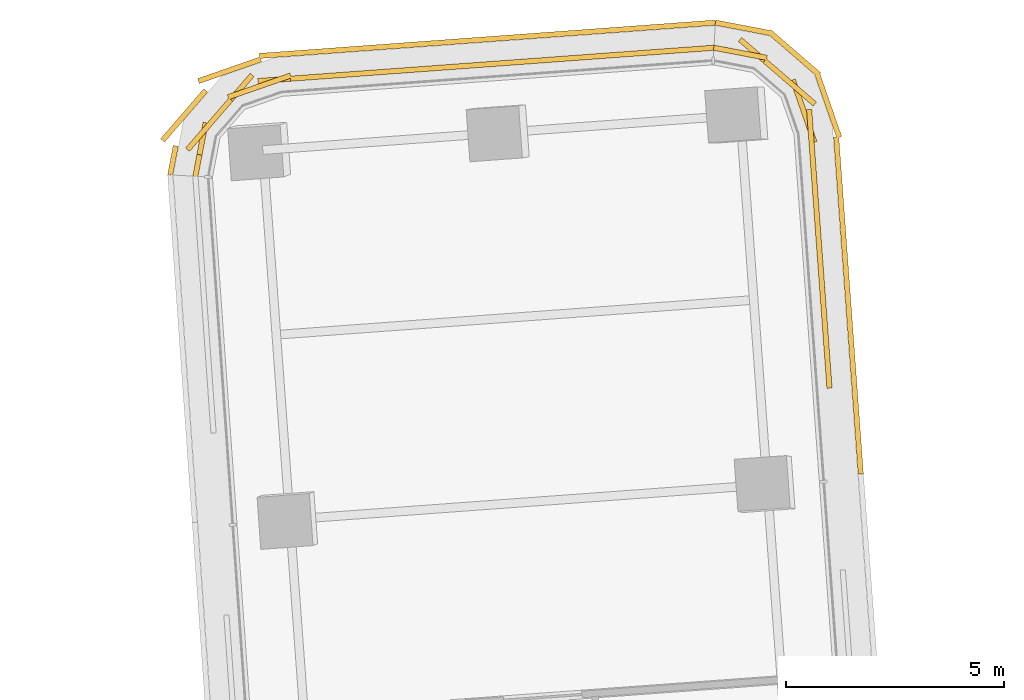
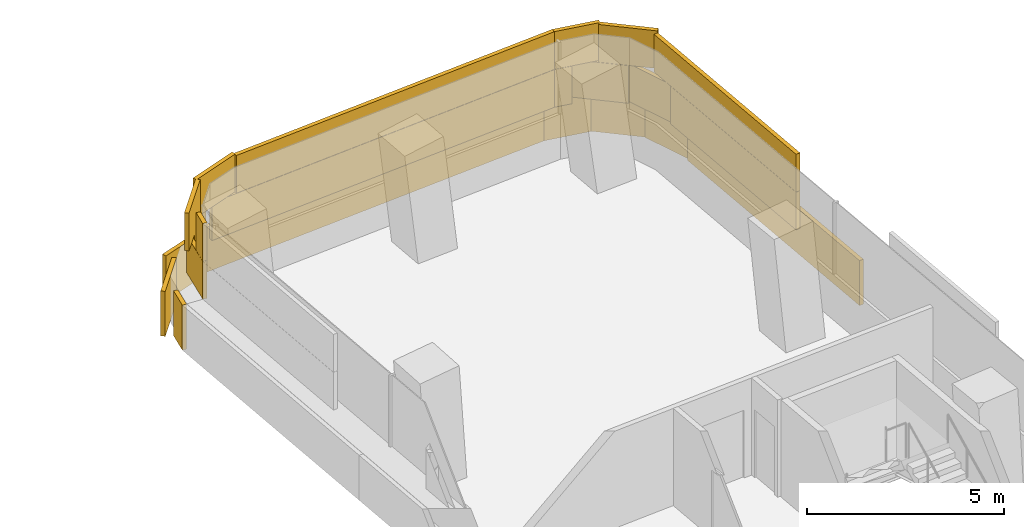
# One storey, part 31 of 31: 2 coverings.
"""IFC4 building model written with IfcOpenShell, lengths in metres."""

import ifcopenshell
import ifcopenshell.guid

model = None  # the IFC model being written
_history = None  # IfcOwnerHistory: only IFC2X3 demands one
_inside = {}  # id of a spatial element -> (the spatial element, [elements in it])
_under = {}  # id of a project, library or spatial element -> (it, [spatial elements below it])
_declared = {}  # id of a project -> (the project, [libraries it declares])
_typed = {}  # id of a type object -> (the type object, [elements of that type])
_made_of = {}  # id of a material, layer set ... -> (it, [elements and type objects made of it])


def new_model(schema):
    """Start an empty IFC model of exactly this schema.

    Asked for "IFC4X3", IfcOpenShell would pick the latest addendum, in which some entities
    have other attributes; the version numbers below select the first issue.
    IFC2X3 requires an IfcOwnerHistory on every rooted entity: one is made here for all.
    """
    global model, _history
    if schema == "IFC4X3":
        model = ifcopenshell.file(schema_version=(4, 3, 0, 0))
    else:
        model = ifcopenshell.file(schema=schema)
    _inside.clear()
    _under.clear()
    _declared.clear()
    _typed.clear()
    _made_of.clear()
    _history = None
    if model.schema == "IFC2X3":
        org = make("IfcOrganization", Name="unknown")
        user = make(
            "IfcPersonAndOrganization",
            ThePerson=make("IfcPerson", FamilyName="unknown"),
            TheOrganization=org,
        )
        app = make(
            "IfcApplication",
            ApplicationDeveloper=org,
            Version="unknown",
            ApplicationFullName="unknown",
            ApplicationIdentifier="unknown",
        )
        _history = make(
            "IfcOwnerHistory",
            OwningUser=user,
            OwningApplication=app,
            ChangeAction="ADDED",
            CreationDate=0,
        )
    return model


def make(cls, **values):
    """One entity of the class cls with the attributes given. An attribute that is None is left unset."""
    return model.create_entity(
        cls, **{name: value for name, value in values.items() if value is not None}
    )


def rooted(cls, **values):
    """An entity with a GlobalId (a new one), such as an element, a storey or a relation."""
    return make(cls, GlobalId=ifcopenshell.guid.new(), OwnerHistory=_history, **values)


def si_unit(unit_type, name, prefix=None):
    """IfcSIUnit, for example si_unit("LENGTHUNIT", "METRE", prefix="MILLI")."""
    return make("IfcSIUnit", UnitType=unit_type, Prefix=prefix, Name=name)


def assignment(units):
    """IfcUnitAssignment: the units of a project."""
    return None if units is None else make("IfcUnitAssignment", Units=units)


def point(xyz):
    """IfcCartesianPoint."""
    return None if xyz is None else make("IfcCartesianPoint", Coordinates=xyz)


def direction(xyz):
    """IfcDirection."""
    return None if xyz is None else make("IfcDirection", DirectionRatios=xyz)


def frame(location, z_axis=None, x_axis=None):
    """IfcAxis2Placement3D, a coordinate frame: its origin and axes. An axis left out is left unset."""
    return make(
        "IfcAxis2Placement3D",
        Location=point(location),
        Axis=direction(z_axis),
        RefDirection=direction(x_axis),
    )


def frame_2d(location, x_axis=None):
    """IfcAxis2Placement2D, a coordinate frame in the plane: its origin and x axis."""
    return make(
        "IfcAxis2Placement2D", Location=point(location), RefDirection=direction(x_axis)
    )


def origin():
    """The frame at (0, 0, 0) with its axes left unset."""
    return frame((0.0, 0.0, 0.0))


def origin_2d():
    """The frame at (0, 0) in the plane with its x axis left unset."""
    return frame_2d((0.0, 0.0))


def place(relative_to, where):
    """IfcLocalPlacement: puts the frame where relative to a parent placement (None: the world)."""
    return make(
        "IfcLocalPlacement", PlacementRelTo=relative_to, RelativePlacement=where
    )


def context(
    kind, dimensions, precision=None, world=None, true_north=None, identifier=None
):
    """IfcGeometricRepresentationContext, for example the 3D "Model" context."""
    return make(
        "IfcGeometricRepresentationContext",
        ContextIdentifier=identifier,
        ContextType=kind,
        CoordinateSpaceDimension=dimensions,
        Precision=precision,
        WorldCoordinateSystem=world,
        TrueNorth=true_north,
    )


def subcontext(parent, identifier, kind, view, scale=None):
    """IfcGeometricRepresentationSubContext, for example "Body" below "Model"."""
    return make(
        "IfcGeometricRepresentationSubContext",
        ContextIdentifier=identifier,
        ContextType=kind,
        ParentContext=parent,
        TargetScale=scale,
        TargetView=view,
    )


def project(units=None, contexts=None):
    """IfcProject with its units and contexts."""
    return rooted(
        "IfcProject",
        Name="project",
        RepresentationContexts=contexts,
        UnitsInContext=assignment(units),
    )


def spatial(cls, under=None, at=None, **own):
    """A site, building, storey or space (cls), placed at a placement, below another one or the project."""
    s = rooted(cls, ObjectPlacement=at, **own)
    if under is not None:
        _under.setdefault(under.id(), (under, []))[1].append(s)
    return s


def profile(cls, at=None, kind="AREA", **sizes):
    """A parametric profile (cls). Its sizes go by their IFC names, for example OverallWidth=200.0."""
    return make(cls, ProfileType=kind, Position=at, **sizes)


def rectangle(**sizes):
    """IfcRectangleProfileDef."""
    return profile("IfcRectangleProfileDef", **sizes)


def extrude(swept, where, along, depth):
    """IfcExtrudedAreaSolid: the profile swept, set in the frame where, extruded along a direction by depth."""
    return make(
        "IfcExtrudedAreaSolid",
        SweptArea=swept,
        Position=where,
        ExtrudedDirection=direction(along),
        Depth=depth,
    )


def shape(context_of_items, identifier, shape_type, items):
    """IfcShapeRepresentation: the items that make up one representation, for example the "Body"."""
    return make(
        "IfcShapeRepresentation",
        ContextOfItems=context_of_items,
        RepresentationIdentifier=identifier,
        RepresentationType=shape_type,
        Items=items,
    )


def material(Name=None, Category=None):
    """IfcMaterial."""
    return make("IfcMaterial", Name=Name, Category=Category)


def layer(
    of_material, thickness, ventilated=None, Name=None, Category=None, Priority=None
):
    """IfcMaterialLayer: one layer of a wall or slab, of a material (None: an air gap)."""
    return make(
        "IfcMaterialLayer",
        Material=of_material,
        LayerThickness=thickness,
        IsVentilated=ventilated,
        Name=Name,
        Category=Category,
        Priority=Priority,
    )


def layer_set(layers, Name=None):
    """IfcMaterialLayerSet."""
    return make("IfcMaterialLayerSet", MaterialLayers=layers, LayerSetName=Name)


def made_of(thing, what):
    """Note that an element or type object is made of a material, layer set ...; save() writes the relation."""
    if what is not None:
        _made_of.setdefault(what.id(), (what, []))[1].append(thing)
    return thing


def type_object(cls, material=None, **own):
    """A type object (cls), such as IfcWallType, which elements share."""
    return made_of(rooted(cls, **own), material)


def element(
    cls,
    number,
    at=None,
    inside=None,
    cuts=None,
    type_object=None,
    material=None,
    context=None,
    identifier="Body",
    shape_type=None,
    held_by="IfcProductDefinitionShape",
    body=None,
    shapes=None,
    **own,
):
    """One element of the class cls, such as IfcWall. Its Tag is "e" and its number.

    at: its placement. inside: the storey or other place that contains it. cuts: it is an
    opening in that element (IfcRelVoidsElement). A single representation is given by context,
    identifier, shape_type and body (its items); several are given by shapes. held_by: the class
    of the entity that holds the representations. save() writes the other relations.
    """
    e = rooted(cls, Tag="e%d" % number, ObjectPlacement=at, **own)
    if body is not None:
        shapes = [shape(context, identifier, shape_type, body)]
    if shapes is not None:
        e.Representation = make(held_by, Representations=shapes)
    if inside is not None:
        _inside.setdefault(inside.id(), (inside, []))[1].append(e)
    if cuts is not None:
        rooted(
            "IfcRelVoidsElement", RelatingBuildingElement=cuts, RelatedOpeningElement=e
        )
    if type_object is not None:
        _typed.setdefault(type_object.id(), (type_object, []))[1].append(e)
    return made_of(e, material)


def aggregate(whole, parts):
    """IfcRelAggregates: a whole, such as a stair, and the parts it consists of."""
    return rooted("IfcRelAggregates", RelatingObject=whole, RelatedObjects=parts)


def save(model, path):
    """Write the relations noted so far, then the file.

    IfcRelAggregates (storeys below a building ...), IfcRelContainedInSpatialStructure (elements
    in a storey), IfcRelDefinesByType, IfcRelAssociatesMaterial and IfcRelDeclares: one each for
    every whole, place, type object, material and project.
    """
    for whole, parts in _under.values():
        aggregate(whole, parts)
    for where, things in _inside.values():
        rooted(
            "IfcRelContainedInSpatialStructure",
            RelatedElements=things,
            RelatingStructure=where,
        )
    for kind, things in _typed.values():
        rooted("IfcRelDefinesByType", RelatedObjects=things, RelatingType=kind)
    for what, things in _made_of.values():
        rooted("IfcRelAssociatesMaterial", RelatedObjects=things, RelatingMaterial=what)
    for by, libraries in _declared.values():
        rooted("IfcRelDeclares", RelatingContext=by, RelatedDefinitions=libraries)
    model.write(path)


model = new_model("IFC4")

# Units and contexts
model_context = context("Model", 3, precision=1e-05, world=origin(), true_north=direction((0.0, 1.0)))
body_context = subcontext(model_context, "Body", "Model", "MODEL_VIEW")
ifc_project = project(units=[si_unit("LENGTHUNIT", "METRE"), si_unit("AREAUNIT", "SQUARE_METRE"), si_unit("VOLUMEUNIT", "CUBIC_METRE"), si_unit("PLANEANGLEUNIT", "RADIAN"), si_unit("MASSUNIT", "GRAM", prefix="KILO")], contexts=[model_context])

# Site, building, storey
site_placement = place(None, origin())
site = spatial("IfcSite", under=ifc_project, at=site_placement, CompositionType="ELEMENT")
building_placement = place(site_placement, origin())
building = spatial("IfcBuilding", under=site, at=building_placement, Name="Tamarind Cross Interchange Tower", CompositionType="ELEMENT")
storey_placement = place(building_placement, frame((0.0, 0.0, 49.0)))
storey = spatial("IfcBuildingStorey", under=building, at=storey_placement, Name="L10", CompositionType="ELEMENT", Elevation=49.0)

# Coverings
ifc_material = material(Name="Terracotta", Category="masonry")
ifc_layer = layer(ifc_material, 0.1201171875)
ifc_layer_set = layer_set([ifc_layer], Name="Terracotta")
covering_type = type_object("IfcCoveringType", Name="Terracotta baguette screen unit", PredefinedType="MOLDING", material=ifc_layer_set)
covering_1_placement = place(storey_placement, origin())
element("IfcCovering", 1, at=covering_1_placement, inside=storey, type_object=covering_type, Name="SCR-L10-00-00", PredefinedType="MOLDING", context=body_context, shape_type="SweptSolid", body=[
    extrude(rectangle(XDim=1.510009765625, YDim=0.1201171875, at=origin_2d()), frame((2.25341796875, 49.640380859375, 1.404052734375), z_axis=(0.0, 0.0, 1.0), x_axis=(-0.997340999058, -0.072876138746, 0.0)), (0.0, 0.0, 1.0), 1.1669921875),
    extrude(rectangle(XDim=1.52001953125, YDim=0.1201171875, at=origin_2d()), frame((0.757568359375, 49.53125, 1.404052734375), z_axis=(0.0, 0.0, 1.0), x_axis=(-0.997340999058, -0.072876138746, 0.0)), (0.0, 0.0, 1.0), 1.1669921875),
    extrude(rectangle(XDim=1.52001953125, YDim=0.1201171875, at=origin_2d()), frame((-0.738525390625, 49.421875, 1.404052734375), z_axis=(0.0, 0.0, 1.0), x_axis=(-0.997340999058, -0.072876138746, 0.0)), (0.0, 0.0, 1.0), 1.1669921875),
    extrude(rectangle(XDim=1.52001953125, YDim=0.1201171875, at=origin_2d()), frame((-2.234619140625, 49.3125, 1.404052734375), z_axis=(0.0, 0.0, 1.0), x_axis=(-0.997340999058, -0.072876138746, 0.0)), (0.0, 0.0, 1.0), 1.1669921875),
    extrude(rectangle(XDim=1.52001953125, YDim=0.1201171875, at=origin_2d()), frame((-3.73046875, 49.203125, 1.404052734375), z_axis=(0.0, 0.0, 1.0), x_axis=(-0.997340999058, -0.072876138746, 0.0)), (0.0, 0.0, 1.0), 1.1669921875),
    extrude(rectangle(XDim=1.52001953125, YDim=0.1201171875, at=origin_2d()), frame((-5.2265625, 49.093994140625, 1.404052734375), z_axis=(0.0, 0.0, 1.0), x_axis=(-0.997340999058, -0.072876138746, 0.0)), (0.0, 0.0, 1.0), 1.1669921875),
    extrude(rectangle(XDim=1.52001953125, YDim=0.1201171875, at=origin_2d()), frame((-6.72265625, 48.984619140625, 1.404052734375), z_axis=(0.0, 0.0, 1.0), x_axis=(-0.997340999058, -0.072876138746, 0.0)), (0.0, 0.0, 1.0), 1.1669921875),
    extrude(rectangle(XDim=1.52001953125, YDim=0.1201171875, at=origin_2d()), frame((-8.108642578125, 48.495361328125, 1.404052734375), z_axis=(0.0, 0.0, 1.0), x_axis=(-0.653695371695, -0.756757795483, 0.0)), (0.0, 0.0, 1.0), 1.1669921875),
    extrude(rectangle(XDim=1.259521484375, YDim=0.1201171875, at=origin_2d()), frame((-8.79931640625, 47.3544921875, 1.404052734375), z_axis=(0.0, 0.0, 1.0), x_axis=(-0.187737900482, -0.982219161248, 0.0)), (0.0, 0.0, 1.0), 1.1669921875),
    extrude(rectangle(XDim=0.760009765625, YDim=0.1201171875, at=origin_2d()), frame((2.62744140625, 49.667724609375, 2.5791015625), z_axis=(0.0, 0.0, 1.0), x_axis=(-0.997340999058, -0.072876138746, 0.0)), (0.0, 0.0, 1.0), 1.1669921875),
    extrude(rectangle(XDim=1.52001953125, YDim=0.1201171875, at=origin_2d()), frame((1.505615234375, 49.5859375, 2.5791015625), z_axis=(0.0, 0.0, 1.0), x_axis=(-0.997340999058, -0.072876138746, 0.0)), (0.0, 0.0, 1.0), 1.1669921875),
    extrude(rectangle(XDim=1.52001953125, YDim=0.1201171875, at=origin_2d()), frame((0.009521484375, 49.4765625, 2.5791015625), z_axis=(0.0, 0.0, 1.0), x_axis=(-0.997340999058, -0.072876138746, 0.0)), (0.0, 0.0, 1.0), 1.1669921875),
    extrude(rectangle(XDim=1.52001953125, YDim=0.1201171875, at=origin_2d()), frame((-1.486572265625, 49.3671875, 2.5791015625), z_axis=(0.0, 0.0, 1.0), x_axis=(-0.997340999058, -0.072876138746, 0.0)), (0.0, 0.0, 1.0), 1.1669921875),
    extrude(rectangle(XDim=1.52001953125, YDim=0.1201171875, at=origin_2d()), frame((-2.982421875, 49.2578125, 2.5791015625), z_axis=(0.0, 0.0, 1.0), x_axis=(-0.997340999058, -0.072876138746, 0.0)), (0.0, 0.0, 1.0), 1.1669921875),
    extrude(rectangle(XDim=1.52001953125, YDim=0.1201171875, at=origin_2d()), frame((-4.478515625, 49.148681640625, 2.5791015625), z_axis=(0.0, 0.0, 1.0), x_axis=(-0.997340999058, -0.072876138746, 0.0)), (0.0, 0.0, 1.0), 1.1669921875),
    extrude(rectangle(XDim=1.52001953125, YDim=0.1201171875, at=origin_2d()), frame((-5.974609375, 49.039306640625, 2.5791015625), z_axis=(0.0, 0.0, 1.0), x_axis=(-0.997340999058, -0.072876138746, 0.0)), (0.0, 0.0, 1.0), 1.1669921875),
    extrude(rectangle(XDim=1.52001953125, YDim=0.1201171875, at=origin_2d()), frame((-7.4453125, 48.80810546875, 2.5791015625), z_axis=(0.0, 0.0, 1.0), x_axis=(-0.944495695966, -0.328523789553, 0.0)), (0.0, 0.0, 1.0), 1.1669921875),
    extrude(rectangle(XDim=1.52001953125, YDim=0.1201171875, at=origin_2d()), frame((-8.598876953125, 47.927734375, 2.5791015625), z_axis=(0.0, 0.0, 1.0), x_axis=(-0.653695371695, -0.756757795483, 0.0)), (0.0, 0.0, 1.0), 1.1669921875),
    extrude(rectangle(XDim=0.509521484375, YDim=0.1201171875, at=origin_2d()), frame((-8.869873046875, 46.986083984375, 2.5791015625), z_axis=(0.0, 0.0, 1.0), x_axis=(-0.187737900482, -0.982219161248, 0.0)), (0.0, 0.0, 1.0), 1.1669921875),
    extrude(rectangle(XDim=1.510009765625, YDim=0.1201171875, at=origin_2d()), frame((2.281982421875, 50.218017578125, 0.00390625), z_axis=(0.0, 0.0, 1.0), x_axis=(-0.997340999058, -0.072876138746, 0.0)), (0.0, 0.0, 1.0), 1.39208984375),
    extrude(rectangle(XDim=1.52001953125, YDim=0.1201171875, at=origin_2d()), frame((0.791015625, 50.109130859375, 0.00390625), z_axis=(0.0, 0.0, 1.0), x_axis=(-0.997340999058, -0.072876138746, 0.0)), (0.0, 0.0, 1.0), 1.39208984375),
    extrude(rectangle(XDim=1.52001953125, YDim=0.1201171875, at=origin_2d()), frame((-0.705078125, 49.999755859375, 0.00390625), z_axis=(0.0, 0.0, 1.0), x_axis=(-0.997340999058, -0.072876138746, 0.0)), (0.0, 0.0, 1.0), 1.39208984375),
    extrude(rectangle(XDim=1.52001953125, YDim=0.1201171875, at=origin_2d()), frame((-2.200927734375, 49.890625, 0.00390625), z_axis=(0.0, 0.0, 1.0), x_axis=(-0.997340999058, -0.072876138746, 0.0)), (0.0, 0.0, 1.0), 1.39208984375),
    extrude(rectangle(XDim=1.52001953125, YDim=0.1201171875, at=origin_2d()), frame((-3.697021484375, 49.78125, 0.00390625), z_axis=(0.0, 0.0, 1.0), x_axis=(-0.997340999058, -0.072876138746, 0.0)), (0.0, 0.0, 1.0), 1.39208984375),
    extrude(rectangle(XDim=1.52001953125, YDim=0.1201171875, at=origin_2d()), frame((-5.193115234375, 49.671875, 0.00390625), z_axis=(0.0, 0.0, 1.0), x_axis=(-0.997340999058, -0.072876138746, 0.0)), (0.0, 0.0, 1.0), 1.39208984375),
    extrude(rectangle(XDim=1.52001953125, YDim=0.1201171875, at=origin_2d()), frame((-6.68896484375, 49.5625, 0.00390625), z_axis=(0.0, 0.0, 1.0), x_axis=(-0.997340999058, -0.072876138746, 0.0)), (0.0, 0.0, 1.0), 1.39208984375),
    extrude(rectangle(XDim=1.52001953125, YDim=0.1201171875, at=origin_2d()), frame((-8.128173828125, 49.178466796875, 0.00390625), z_axis=(0.0, 0.0, 1.0), x_axis=(-0.944495695966, -0.328523789553, 0.0)), (0.0, 0.0, 1.0), 1.39208984375),
    extrude(rectangle(XDim=1.52001953125, YDim=0.1201171875, at=origin_2d()), frame((-9.17431640625, 48.139892578125, 0.00390625), z_axis=(0.0, 0.0, 1.0), x_axis=(-0.653695371695, -0.756757795483, 0.0)), (0.0, 0.0, 1.0), 1.39208984375),
    extrude(rectangle(XDim=0.676513671875, YDim=0.1201171875, at=origin_2d()), frame((-9.43115234375, 47.107177734375, 0.00390625), z_axis=(0.0, 0.0, 1.0), x_axis=(-0.187737900482, -0.982219161248, 0.0)), (0.0, 0.0, 1.0), 1.39208984375),
])
covering_2_placement = place(storey_placement, origin())
element("IfcCovering", 2, at=covering_2_placement, inside=storey, type_object=covering_type, Name="SCR-L10-15-01", PredefinedType="MOLDING", context=body_context, shape_type="SweptSolid", body=[
    extrude(rectangle(XDim=1.166259765625, YDim=0.1201171875, at=origin_2d()), frame((5.6142578125, 42.453369140625, 1.404052734375), z_axis=(0.0, 0.0, 1.0), x_axis=(-0.072876138746, 0.997340999058, 0.0)), (0.0, 0.0, 1.0), 1.1669921875),
    extrude(rectangle(XDim=1.52001953125, YDim=0.1201171875, at=origin_2d()), frame((5.517578125, 43.77783203125, 1.404052734375), z_axis=(0.0, 0.0, 1.0), x_axis=(-0.072876138746, 0.997340999058, 0.0)), (0.0, 0.0, 1.0), 1.1669921875),
    extrude(rectangle(XDim=1.52001953125, YDim=0.1201171875, at=origin_2d()), frame((5.408203125, 45.27392578125, 1.404052734375), z_axis=(0.0, 0.0, 1.0), x_axis=(-0.072876138746, 0.997340999058, 0.0)), (0.0, 0.0, 1.0), 1.1669921875),
    extrude(rectangle(XDim=1.52001953125, YDim=0.1201171875, at=origin_2d()), frame((5.299072265625, 46.77001953125, 1.404052734375), z_axis=(0.0, 0.0, 1.0), x_axis=(-0.072876138746, 0.997340999058, 0.0)), (0.0, 0.0, 1.0), 1.1669921875),
    extrude(rectangle(XDim=1.52001953125, YDim=0.1201171875, at=origin_2d()), frame((5.0634765625, 48.239990234375, 1.404052734375), z_axis=(0.0, 0.0, 1.0), x_axis=(-0.328523789553, 0.944495695966, 0.0)), (0.0, 0.0, 1.0), 1.1669921875),
    extrude(rectangle(XDim=1.52001953125, YDim=0.1201171875, at=origin_2d()), frame((4.17578125, 49.388427734375, 1.404052734375), z_axis=(0.0, 0.0, 1.0), x_axis=(-0.756757795483, 0.653695371695, 0.0)), (0.0, 0.0, 1.0), 1.1669921875),
    extrude(rectangle(XDim=0.49267578125, YDim=0.1201171875, at=origin_2d()), frame((3.238525390625, 49.64990234375, 1.404052734375), z_axis=(0.0, 0.0, 1.0), x_axis=(-0.982219161248, 0.187737900482, 0.0)), (0.0, 0.0, 1.0), 1.1669921875),
    extrude(rectangle(XDim=0.416259765625, YDim=0.1201171875, at=origin_2d()), frame((5.6416015625, 42.079345703125, 2.5791015625), z_axis=(0.0, 0.0, 1.0), x_axis=(-0.072876138746, 0.997340999058, 0.0)), (0.0, 0.0, 1.0), 1.1669921875),
    extrude(rectangle(XDim=1.52001953125, YDim=0.1201171875, at=origin_2d()), frame((5.572265625, 43.02978515625, 2.5791015625), z_axis=(0.0, 0.0, 1.0), x_axis=(-0.072876138746, 0.997340999058, 0.0)), (0.0, 0.0, 1.0), 1.1669921875),
    extrude(rectangle(XDim=1.52001953125, YDim=0.1201171875, at=origin_2d()), frame((5.462890625, 44.52587890625, 2.5791015625), z_axis=(0.0, 0.0, 1.0), x_axis=(-0.072876138746, 0.997340999058, 0.0)), (0.0, 0.0, 1.0), 1.1669921875),
    extrude(rectangle(XDim=1.52001953125, YDim=0.1201171875, at=origin_2d()), frame((5.353515625, 46.02197265625, 2.5791015625), z_axis=(0.0, 0.0, 1.0), x_axis=(-0.072876138746, 0.997340999058, 0.0)), (0.0, 0.0, 1.0), 1.1669921875),
    extrude(rectangle(XDim=1.52001953125, YDim=0.1201171875, at=origin_2d()), frame((5.244384765625, 47.517822265625, 2.5791015625), z_axis=(0.0, 0.0, 1.0), x_axis=(-0.072876138746, 0.997340999058, 0.0)), (0.0, 0.0, 1.0), 1.1669921875),
    extrude(rectangle(XDim=1.52001953125, YDim=0.1201171875, at=origin_2d()), frame((4.743408203125, 48.898193359375, 2.5791015625), z_axis=(0.0, 0.0, 1.0), x_axis=(-0.756757795483, 0.653695371695, 0.0)), (0.0, 0.0, 1.0), 1.1669921875),
    extrude(rectangle(XDim=1.24267578125, YDim=0.1201171875, at=origin_2d()), frame((3.60693359375, 49.579345703125, 2.5791015625), z_axis=(0.0, 0.0, 1.0), x_axis=(-0.982219161248, 0.187737900482, 0.0)), (0.0, 0.0, 1.0), 1.1669921875),
    extrude(rectangle(XDim=0.26513671875, YDim=0.1201171875, at=origin_2d()), frame((6.366943359375, 40.031005859375, 0.00390625), z_axis=(0.0, 0.0, 1.0), x_axis=(-0.072876138746, 0.997340999058, 0.0)), (0.0, 0.0, 1.0), 1.39208984375),
    extrude(rectangle(XDim=1.52001953125, YDim=0.1201171875, at=origin_2d()), frame((6.30322265625, 40.9013671875, 0.00390625), z_axis=(0.0, 0.0, 1.0), x_axis=(-0.072876138746, 0.997340999058, 0.0)), (0.0, 0.0, 1.0), 1.39208984375),
    extrude(rectangle(XDim=1.52001953125, YDim=0.1201171875, at=origin_2d()), frame((6.194091796875, 42.397216796875, 0.00390625), z_axis=(0.0, 0.0, 1.0), x_axis=(-0.072876138746, 0.997340999058, 0.0)), (0.0, 0.0, 1.0), 1.39208984375),
    extrude(rectangle(XDim=1.52001953125, YDim=0.1201171875, at=origin_2d()), frame((6.084716796875, 43.893310546875, 0.00390625), z_axis=(0.0, 0.0, 1.0), x_axis=(-0.072876138746, 0.997340999058, 0.0)), (0.0, 0.0, 1.0), 1.39208984375),
    extrude(rectangle(XDim=1.52001953125, YDim=0.1201171875, at=origin_2d()), frame((5.975341796875, 45.389404296875, 0.00390625), z_axis=(0.0, 0.0, 1.0), x_axis=(-0.072876138746, 0.997340999058, 0.0)), (0.0, 0.0, 1.0), 1.39208984375),
    extrude(rectangle(XDim=1.52001953125, YDim=0.1201171875, at=origin_2d()), frame((5.865966796875, 46.88525390625, 0.00390625), z_axis=(0.0, 0.0, 1.0), x_axis=(-0.072876138746, 0.997340999058, 0.0)), (0.0, 0.0, 1.0), 1.39208984375),
    extrude(rectangle(XDim=1.52001953125, YDim=0.1201171875, at=origin_2d()), frame((5.631103515625, 48.35546875, 0.00390625), z_axis=(0.0, 0.0, 1.0), x_axis=(-0.328523789553, 0.944495695966, 0.0)), (0.0, 0.0, 1.0), 1.39208984375),
    extrude(rectangle(XDim=1.52001953125, YDim=0.1201171875, at=origin_2d()), frame((4.842529296875, 49.5712890625, 0.00390625), z_axis=(0.0, 0.0, 1.0), x_axis=(-0.756757795483, 0.653695371695, 0.0)), (0.0, 0.0, 1.0), 1.39208984375),
    extrude(rectangle(XDim=1.2607421875, YDim=0.1201171875, at=origin_2d()), frame((3.654296875, 50.15478515625, 0.00390625), z_axis=(0.0, 0.0, 1.0), x_axis=(-0.982219161248, 0.187737900482, 0.0)), (0.0, 0.0, 1.0), 1.39208984375),
])

save(model, "model.ifc")
